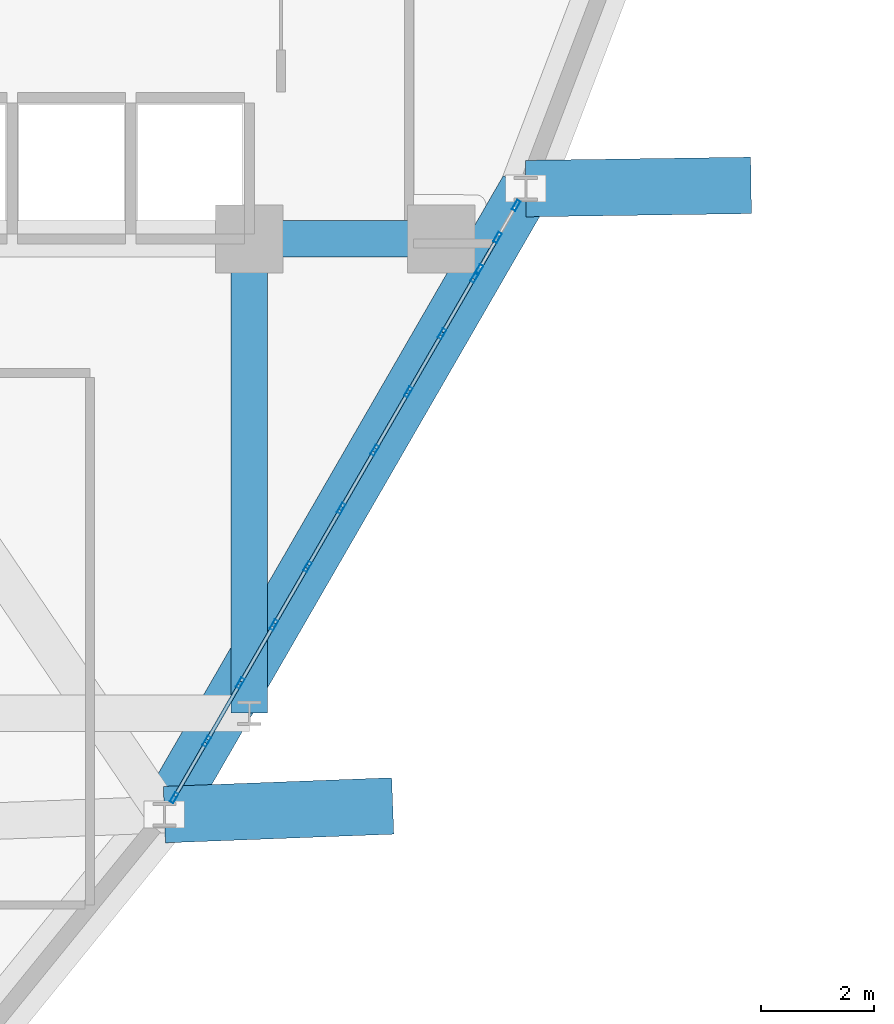
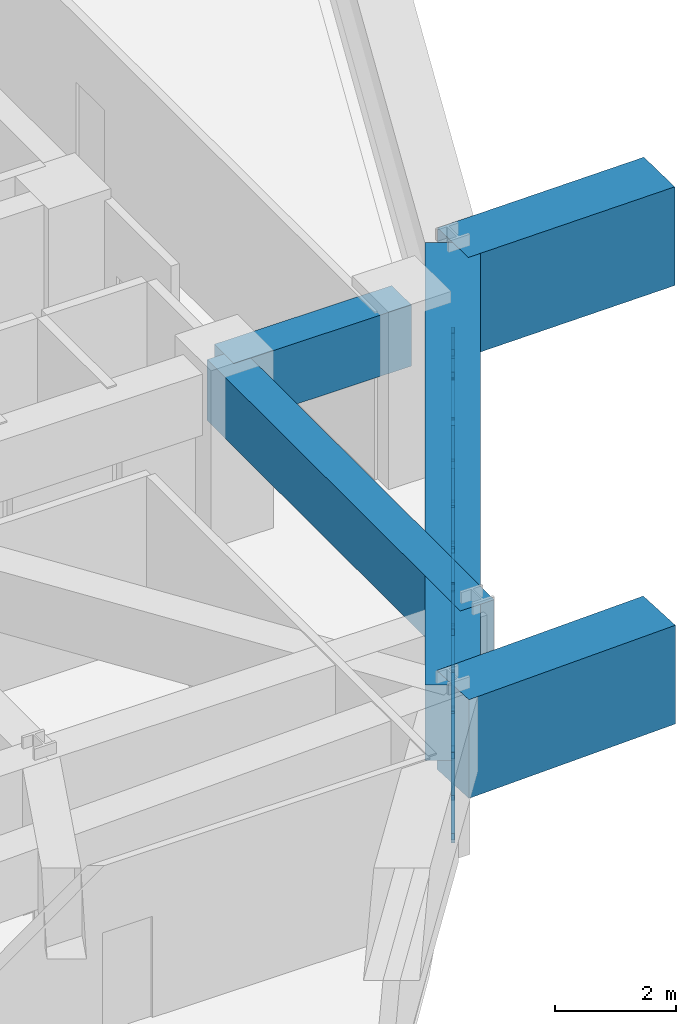
# One storey, part 6 of 15: 35 members, 5 beams, 2 elements without a shape of their own.
"""IFC4 building model written with IfcOpenShell, lengths in metres."""

from ifc_helpers import new_model, si_unit, derived_unit, direction, frame, origin, origin_2d, place, context, subcontext, project, spatial, rectangle, hollow_rectangle, extrude, source, transform, mapped, material, layer, layer_set, material_profile, profile_set, type_object, element, aggregate, save


model = new_model("IFC4")

# Units and contexts
model_context = context("Model", 3, precision=1e-05, world=origin(), true_north=direction((0.0, 1.0)))
body_context = subcontext(model_context, "Body", "Model", "MODEL_VIEW")
ifc_project = project(units=[si_unit("LENGTHUNIT", "METRE"), si_unit("AREAUNIT", "SQUARE_METRE"), si_unit("VOLUMEUNIT", "CUBIC_METRE"), si_unit("PLANEANGLEUNIT", "RADIAN"), si_unit("MASSUNIT", "GRAM", prefix="KILO"), derived_unit("THERMALTRANSMITTANCEUNIT", [(si_unit("POWERUNIT", "WATT"), 1), (si_unit("LENGTHUNIT", "METRE"), -2), (si_unit("THERMODYNAMICTEMPERATUREUNIT", "KELVIN"), -1)])], contexts=[model_context])

# Site, building, storey
site_placement = place(None, origin())
site = spatial("IfcSite", under=ifc_project, at=site_placement, CompositionType="ELEMENT")
building_placement = place(site_placement, origin())
building = spatial("IfcBuilding", under=site, at=building_placement, Name="Korsvarv Bourse and Concert Hall", CompositionType="ELEMENT")
storey_placement = place(building_placement, frame((0.0, 0.0, 165.0)))
storey = spatial("IfcBuildingStorey", under=building, at=storey_placement, Name="L42", CompositionType="ELEMENT", Elevation=165.0)

# Beams
ifc_material_1 = material(Name="Concrete C50/60", Category="concrete")
ifc_material_profile_1 = material_profile(ifc_material_1, rectangle(XDim=0.64990234375, YDim=1.239990234375, at=origin_2d()), Name="RC-BM 650x1240")
ifc_profile_set_1 = profile_set([ifc_material_profile_1], Name="Concrete C50/60")
beam_type_1 = type_object("IfcBeamType", Name="BM-TR-SPN", PredefinedType="BEAM", material=ifc_profile_set_1)
shared_shape_1 = source(origin(), body_context, "Body", "SweptSolid", [
    extrude(rectangle(XDim=0.64990234375, YDim=1.239990234375, at=origin_2d()), origin(), (0.0, 0.0, 1.0), 3.400146484375),
])
beam_1_placement = place(storey_placement, frame((44.39990234375, 32.39990234375, 2.75), z_axis=(1.0, 0.0, 0.0), x_axis=(0.0, 1.0, 0.0)))
element("IfcBeam", 1, at=beam_1_placement, inside=storey, type_object=beam_type_1, Name="L42 beam B-TRS", PredefinedType="BEAM", context=body_context, shape_type="MappedRepresentation", body=[
    mapped(shared_shape_1, transform((0.0, 0.0, 0.0), scale=1.0)),
])
shared_shape_2 = source(origin(), body_context, "Body", "SweptSolid", [
    extrude(rectangle(XDim=0.64990234375, YDim=1.239990234375, at=origin_2d()), origin(), (0.0, 0.0, 1.0), 8.39990234375),
])
beam_2_placement = place(storey_placement, frame((44.39990234375, 24.0, 2.75), z_axis=(0.0, 1.0, 0.0), x_axis=(-1.0, 0.0, 0.0)))
element("IfcBeam", 2, at=beam_2_placement, inside=storey, type_object=beam_type_1, Name="L42 beam B-TRS", PredefinedType="BEAM", context=body_context, shape_type="MappedRepresentation", body=[
    mapped(shared_shape_2, transform((0.0, 0.0, 0.0), scale=1.0)),
])
ifc_material_profile_2 = material_profile(ifc_material_1, rectangle(XDim=0.919921875, YDim=1.530029296875, at=origin_2d()), Name="RC-BM 920x1530")
ifc_profile_set_2 = profile_set([ifc_material_profile_2], Name="Concrete C50/60")
beam_type_2 = type_object("IfcBeamType", Name="BM-TR-154", PredefinedType="BEAM", material=ifc_profile_set_2)
shared_shape_3 = source(origin(), body_context, "Body", "SweptSolid", [
    extrude(rectangle(XDim=0.919921875, YDim=1.530029296875, at=origin_2d()), origin(), (0.0, 0.0, 1.0), 12.802978515625),
])
beam_3_placement = place(storey_placement, frame((42.895263671875, 22.202392578125, 2.60498046875), z_axis=(0.499994815902, 0.866028396804, 0.0), x_axis=(-0.866028396804, 0.499994815902, 0.0)))
element("IfcBeam", 3, at=beam_3_placement, inside=storey, type_object=beam_type_2, Name="L42 beam B-TR6", PredefinedType="BEAM", context=body_context, shape_type="MappedRepresentation", body=[
    mapped(shared_shape_3, transform((0.0, 0.0, 0.0), scale=1.0)),
])
ifc_material_2 = material(Name="Concrete C60/75", Category="concrete")
ifc_material_profile_3 = material_profile(ifc_material_2, rectangle(XDim=1.0, YDim=2.0, at=origin_2d()), Name="RC-BM 1000x2000")
ifc_profile_set_3 = profile_set([ifc_material_profile_3], Name="Concrete C60/75")
beam_type_3 = type_object("IfcBeamType", Name="BM-TR1", PredefinedType="BEAM", material=ifc_profile_set_3)
shared_shape_4 = source(origin(), body_context, "Body", "SweptSolid", [
    extrude(rectangle(XDim=1.0, YDim=2.0, at=origin_2d()), origin(), (0.0, 0.0, 1.0), 4.04736328125),
])
beam_4_placement = place(storey_placement, frame((42.895263671875, 22.202392578125, 2.3701171875), z_axis=(0.999277654412, 0.038002228799, 0.0), x_axis=(-0.038002228799, 0.999277654412, 0.0)))
element("IfcBeam", 4, at=beam_4_placement, inside=storey, type_object=beam_type_3, Name="L42 Block-Shift Transfer Girder 11", PredefinedType="BEAM", context=body_context, shape_type="MappedRepresentation", body=[
    mapped(shared_shape_4, transform((0.0, 0.0, 0.0), scale=1.0)),
])
shared_shape_5 = source(origin(), body_context, "Body", "SweptSolid", [
    extrude(rectangle(XDim=1.0, YDim=2.0, at=origin_2d()), origin(), (0.0, 0.0, 1.0), 3.989501953125),
])
beam_5_placement = place(storey_placement, frame((49.296630859375, 33.2900390625, 2.3701171875), z_axis=(0.999894816595, 0.014503645972, 0.0), x_axis=(-0.014503645972, 0.999894816595, 0.0)))
element("IfcBeam", 5, at=beam_5_placement, inside=storey, type_object=beam_type_3, Name="L42 Block-Shift Transfer Girder 12", PredefinedType="BEAM", context=body_context, shape_type="MappedRepresentation", body=[
    mapped(shared_shape_5, transform((0.0, 0.0, 0.0), scale=1.0)),
])

# Curtain wall, members
ifc_material_3 = material(Name="Anodised aluminium and triple low-E glazing", Category="glass")
ifc_layer = layer(ifc_material_3, 0.2099609375)
ifc_layer_set = layer_set([ifc_layer], Name="Anodised aluminium and triple low-E glazing")
curtain_wall_type = type_object("IfcCurtainWallType", Name="CW-SYS-2", PredefinedType="NOTDEFINED", material=ifc_layer_set)
curtain_wall_1_placement = place(storey_placement, origin())
curtain_wall_1 = element("IfcCurtainWall", 6, at=curtain_wall_1_placement, inside=storey, type_object=curtain_wall_type, Name="L42 CW2 curtain wall CW-L42-F11-1", PredefinedType="NOTDEFINED")
ifc_material_4 = material(Name="Extruded aluminium EN AW-6063 T66", Category="aluminium")
ifc_material_profile_4 = material_profile(ifc_material_4, hollow_rectangle(XDim=0.070068359375, YDim=0.18994140625, WallThickness=0.0048828125, at=origin_2d()), Name="ALU-M 70x190")
ifc_profile_set_4 = profile_set([ifc_material_profile_4], Name="Extruded aluminium EN AW-6063 T66")
member_type_1 = type_object("IfcMemberType", Name="CWM-190", PredefinedType="MULLION", material=ifc_profile_set_4)
shared_shape_6 = source(origin(), body_context, "Body", "SweptSolid", [
    extrude(hollow_rectangle(XDim=0.070068359375, YDim=0.18994140625, WallThickness=0.0048828125, at=origin_2d()), origin(), (0.0, 0.0, 1.0), 1.840087890625),
])
member_1_placement = place(storey_placement, frame((43.067138671875, 22.5, 0.0), z_axis=(0.0, 0.0, 1.0), x_axis=(-0.866026453118, 0.499998182496, 0.0)))
member_1 = element("IfcMember", 7, at=member_1_placement, type_object=member_type_1, Name="CW2 mullion 1", PredefinedType="MULLION", context=body_context, shape_type="MappedRepresentation", body=[
    mapped(shared_shape_6, transform((0.0, 0.0, 0.0), scale=1.0)),
])
member_2_placement = place(storey_placement, frame((43.64501953125, 23.5009765625, 0.0), z_axis=(0.0, 0.0, 1.0), x_axis=(-0.866026453118, 0.499998182496, 0.0)))
member_2 = element("IfcMember", 8, at=member_2_placement, type_object=member_type_1, Name="CW2 mullion 2", PredefinedType="MULLION", context=body_context, shape_type="MappedRepresentation", body=[
    mapped(shared_shape_6, transform((0.0, 0.0, 0.0), scale=1.0)),
])
member_3_placement = place(storey_placement, frame((44.240234375, 24.531982421875, 0.0), z_axis=(0.0, 0.0, 1.0), x_axis=(-0.866026453118, 0.499998182496, 0.0)))
member_3 = element("IfcMember", 9, at=member_3_placement, type_object=member_type_1, Name="CW2 mullion 3", PredefinedType="MULLION", context=body_context, shape_type="MappedRepresentation", body=[
    mapped(shared_shape_6, transform((0.0, 0.0, 0.0), scale=1.0)),
])
member_4_placement = place(storey_placement, frame((44.83544921875, 25.563232421875, 0.0), z_axis=(0.0, 0.0, 1.0), x_axis=(-0.866026453118, 0.499998182496, 0.0)))
member_4 = element("IfcMember", 10, at=member_4_placement, type_object=member_type_1, Name="CW2 mullion 4", PredefinedType="MULLION", context=body_context, shape_type="MappedRepresentation", body=[
    mapped(shared_shape_6, transform((0.0, 0.0, 0.0), scale=1.0)),
])
member_5_placement = place(storey_placement, frame((45.430908203125, 26.59423828125, 0.0), z_axis=(0.0, 0.0, 1.0), x_axis=(-0.866026453118, 0.499998182496, 0.0)))
member_5 = element("IfcMember", 11, at=member_5_placement, type_object=member_type_1, Name="CW2 mullion 5", PredefinedType="MULLION", context=body_context, shape_type="MappedRepresentation", body=[
    mapped(shared_shape_6, transform((0.0, 0.0, 0.0), scale=1.0)),
])
member_6_placement = place(storey_placement, frame((46.026123046875, 27.62548828125, 0.0), z_axis=(0.0, 0.0, 1.0), x_axis=(-0.866026453118, 0.499998182496, 0.0)))
member_6 = element("IfcMember", 12, at=member_6_placement, type_object=member_type_1, Name="CW2 mullion 6", PredefinedType="MULLION", context=body_context, shape_type="MappedRepresentation", body=[
    mapped(shared_shape_6, transform((0.0, 0.0, 0.0), scale=1.0)),
])
member_7_placement = place(storey_placement, frame((46.62158203125, 28.656494140625, 0.0), z_axis=(0.0, 0.0, 1.0), x_axis=(-0.866026453118, 0.499998182496, 0.0)))
member_7 = element("IfcMember", 13, at=member_7_placement, type_object=member_type_1, Name="CW2 mullion 7", PredefinedType="MULLION", context=body_context, shape_type="MappedRepresentation", body=[
    mapped(shared_shape_6, transform((0.0, 0.0, 0.0), scale=1.0)),
])
member_8_placement = place(storey_placement, frame((47.216796875, 29.687744140625, 0.0), z_axis=(0.0, 0.0, 1.0), x_axis=(-0.866026453118, 0.499998182496, 0.0)))
member_8 = element("IfcMember", 14, at=member_8_placement, type_object=member_type_1, Name="CW2 mullion 8", PredefinedType="MULLION", context=body_context, shape_type="MappedRepresentation", body=[
    mapped(shared_shape_6, transform((0.0, 0.0, 0.0), scale=1.0)),
])
member_9_placement = place(storey_placement, frame((47.812255859375, 30.71875, 0.0), z_axis=(0.0, 0.0, 1.0), x_axis=(-0.866026453118, 0.499998182496, 0.0)))
member_9 = element("IfcMember", 15, at=member_9_placement, type_object=member_type_1, Name="CW2 mullion 9", PredefinedType="MULLION", context=body_context, shape_type="MappedRepresentation", body=[
    mapped(shared_shape_6, transform((0.0, 0.0, 0.0), scale=1.0)),
])
member_10_placement = place(storey_placement, frame((48.389892578125, 31.7197265625, 0.0), z_axis=(0.0, 0.0, 1.0), x_axis=(-0.866026453118, 0.499998182496, 0.0)))
member_10 = element("IfcMember", 16, at=member_10_placement, type_object=member_type_1, Name="CW2 mullion 10", PredefinedType="MULLION", context=body_context, shape_type="MappedRepresentation", body=[
    mapped(shared_shape_6, transform((0.0, 0.0, 0.0), scale=1.0)),
])

curtain_wall_2_placement = place(storey_placement, origin())
curtain_wall_2 = element("IfcCurtainWall", 17, at=curtain_wall_2_placement, inside=storey, type_object=curtain_wall_type, Name="L42 CW2 curtain wall CW-L42-F11-2", PredefinedType="NOTDEFINED")
member_11_placement = place(storey_placement, frame((48.467529296875, 31.85400390625, 0.0), z_axis=(0.0, 0.0, 1.0), x_axis=(-0.866007567723, 0.500030891693, 0.0)))
member_11 = element("IfcMember", 18, at=member_11_placement, type_object=member_type_1, Name="CW2 mullion 1", PredefinedType="MULLION", context=body_context, shape_type="MappedRepresentation", body=[
    mapped(shared_shape_6, transform((0.0, 0.0, 0.0), scale=1.0)),
])
member_12_placement = place(storey_placement, frame((48.796142578125, 32.423095703125, 0.0), z_axis=(0.0, 0.0, 1.0), x_axis=(-0.866007567723, 0.500030891693, 0.0)))
member_12 = element("IfcMember", 19, at=member_12_placement, type_object=member_type_1, Name="CW2 mullion 2", PredefinedType="MULLION", context=body_context, shape_type="MappedRepresentation", body=[
    mapped(shared_shape_6, transform((0.0, 0.0, 0.0), scale=1.0)),
])
member_13_placement = place(storey_placement, frame((49.124755859375, 32.9921875, 0.0), z_axis=(0.0, 0.0, 1.0), x_axis=(-0.866007567723, 0.500030891693, 0.0)))
member_13 = element("IfcMember", 20, at=member_13_placement, type_object=member_type_1, Name="CW2 mullion 3", PredefinedType="MULLION", context=body_context, shape_type="MappedRepresentation", body=[
    mapped(shared_shape_6, transform((0.0, 0.0, 0.0), scale=1.0)),
])

# Member
ifc_material_profile_5 = material_profile(ifc_material_4, hollow_rectangle(XDim=0.06494140625, YDim=0.139892578125, WallThickness=0.00390625, at=origin_2d()), Name="ALU-T 65x140")
ifc_profile_set_5 = profile_set([ifc_material_profile_5], Name="Extruded aluminium EN AW-6063 T66")
member_type_2 = type_object("IfcMemberType", Name="CWT-140", PredefinedType="USERDEFINED", material=ifc_profile_set_5)
shared_shape_7 = source(origin(), body_context, "Body", "SweptSolid", [
    extrude(hollow_rectangle(XDim=0.06494140625, YDim=0.139892578125, WallThickness=0.00390625, at=origin_2d()), origin(), (0.0, 0.0, 1.0), 1.085693359375),
])
member_14_placement = place(storey_placement, frame((43.084716796875, 22.530517578125, 0.032470703125), z_axis=(0.499936598022, 0.866062005839, 0.0), x_axis=(-0.866062005839, 0.499936598022, 0.0)))
member_14 = element("IfcMember", 21, at=member_14_placement, type_object=member_type_2, Name="CW2 transom 1.1", ObjectType="TRANSOM", PredefinedType="USERDEFINED", context=body_context, shape_type="MappedRepresentation", body=[
    mapped(shared_shape_7, transform((0.0, 0.0, 0.0), scale=1.0)),
])

member_15_placement = place(storey_placement, frame((43.084716796875, 22.530517578125, 1.8076171875), z_axis=(0.499936598022, 0.866062005839, 0.0), x_axis=(-0.866062005839, 0.499936598022, 0.0)))
member_15 = element("IfcMember", 22, at=member_15_placement, type_object=member_type_2, Name="CW2 transom 1.2", ObjectType="TRANSOM", PredefinedType="USERDEFINED", context=body_context, shape_type="MappedRepresentation", body=[
    mapped(shared_shape_7, transform((0.0, 0.0, 0.0), scale=1.0)),
])

member_16_placement = place(storey_placement, frame((47.82958984375, 30.749267578125, 0.032470703125), z_axis=(0.5001052534, 0.865964627177, 0.0), x_axis=(-0.865964627177, 0.5001052534, 0.0)))
member_16 = element("IfcMember", 23, at=member_16_placement, type_object=member_type_2, Name="CW2 transom 9.1", ObjectType="TRANSOM", PredefinedType="USERDEFINED", context=body_context, shape_type="MappedRepresentation", body=[
    mapped(shared_shape_7, transform((0.0, 0.0, 0.0), scale=1.0)),
])

member_17_placement = place(storey_placement, frame((47.82958984375, 30.749267578125, 1.8076171875), z_axis=(0.5001052534, 0.865964627177, 0.0), x_axis=(-0.865964627177, 0.5001052534, 0.0)))
member_17 = element("IfcMember", 24, at=member_17_placement, type_object=member_type_2, Name="CW2 transom 9.2", ObjectType="TRANSOM", PredefinedType="USERDEFINED", context=body_context, shape_type="MappedRepresentation", body=[
    mapped(shared_shape_7, transform((0.0, 0.0, 0.0), scale=1.0)),
])

shared_shape_8 = source(origin(), body_context, "Body", "SweptSolid", [
    extrude(hollow_rectangle(XDim=0.06494140625, YDim=0.139892578125, WallThickness=0.00390625, at=origin_2d()), origin(), (0.0, 0.0, 1.0), 1.12060546875),
])
member_18_placement = place(storey_placement, frame((43.662353515625, 23.53125, 0.032470703125), z_axis=(0.500005339912, 0.866022320763, 0.0), x_axis=(-0.866022320763, 0.500005339912, 0.0)))
member_18 = element("IfcMember", 25, at=member_18_placement, type_object=member_type_2, Name="CW2 transom 2.1", ObjectType="TRANSOM", PredefinedType="USERDEFINED", context=body_context, shape_type="MappedRepresentation", body=[
    mapped(shared_shape_8, transform((0.0, 0.0, 0.0), scale=1.0)),
])

member_19_placement = place(storey_placement, frame((43.662353515625, 23.53125, 1.8076171875), z_axis=(0.500005339912, 0.866022320763, 0.0), x_axis=(-0.866022320763, 0.500005339912, 0.0)))
member_19 = element("IfcMember", 26, at=member_19_placement, type_object=member_type_2, Name="CW2 transom 2.2", ObjectType="TRANSOM", PredefinedType="USERDEFINED", context=body_context, shape_type="MappedRepresentation", body=[
    mapped(shared_shape_8, transform((0.0, 0.0, 0.0), scale=1.0)),
])

member_20_placement = place(storey_placement, frame((44.85302734375, 25.593505859375, 0.032470703125), z_axis=(0.500005339912, 0.866022320763, 0.0), x_axis=(-0.866022320763, 0.500005339912, 0.0)))
member_20 = element("IfcMember", 27, at=member_20_placement, type_object=member_type_2, Name="CW2 transom 4.1", ObjectType="TRANSOM", PredefinedType="USERDEFINED", context=body_context, shape_type="MappedRepresentation", body=[
    mapped(shared_shape_8, transform((0.0, 0.0, 0.0), scale=1.0)),
])

member_21_placement = place(storey_placement, frame((44.85302734375, 25.593505859375, 1.8076171875), z_axis=(0.500005339912, 0.866022320763, 0.0), x_axis=(-0.866022320763, 0.500005339912, 0.0)))
member_21 = element("IfcMember", 28, at=member_21_placement, type_object=member_type_2, Name="CW2 transom 4.2", ObjectType="TRANSOM", PredefinedType="USERDEFINED", context=body_context, shape_type="MappedRepresentation", body=[
    mapped(shared_shape_8, transform((0.0, 0.0, 0.0), scale=1.0)),
])

member_22_placement = place(storey_placement, frame((45.448486328125, 26.624755859375, 0.032470703125), z_axis=(0.500005339912, 0.866022320763, 0.0), x_axis=(-0.866022320763, 0.500005339912, 0.0)))
member_22 = element("IfcMember", 29, at=member_22_placement, type_object=member_type_2, Name="CW2 transom 5.1", ObjectType="TRANSOM", PredefinedType="USERDEFINED", context=body_context, shape_type="MappedRepresentation", body=[
    mapped(shared_shape_8, transform((0.0, 0.0, 0.0), scale=1.0)),
])

member_23_placement = place(storey_placement, frame((45.448486328125, 26.624755859375, 1.8076171875), z_axis=(0.500005339912, 0.866022320763, 0.0), x_axis=(-0.866022320763, 0.500005339912, 0.0)))
member_23 = element("IfcMember", 30, at=member_23_placement, type_object=member_type_2, Name="CW2 transom 5.2", ObjectType="TRANSOM", PredefinedType="USERDEFINED", context=body_context, shape_type="MappedRepresentation", body=[
    mapped(shared_shape_8, transform((0.0, 0.0, 0.0), scale=1.0)),
])

member_24_placement = place(storey_placement, frame((46.043701171875, 27.65576171875, 0.032470703125), z_axis=(0.500005339912, 0.866022320763, 0.0), x_axis=(-0.866022320763, 0.500005339912, 0.0)))
member_24 = element("IfcMember", 31, at=member_24_placement, type_object=member_type_2, Name="CW2 transom 6.1", ObjectType="TRANSOM", PredefinedType="USERDEFINED", context=body_context, shape_type="MappedRepresentation", body=[
    mapped(shared_shape_8, transform((0.0, 0.0, 0.0), scale=1.0)),
])

member_25_placement = place(storey_placement, frame((46.043701171875, 27.65576171875, 1.8076171875), z_axis=(0.500005339912, 0.866022320763, 0.0), x_axis=(-0.866022320763, 0.500005339912, 0.0)))
member_25 = element("IfcMember", 32, at=member_25_placement, type_object=member_type_2, Name="CW2 transom 6.2", ObjectType="TRANSOM", PredefinedType="USERDEFINED", context=body_context, shape_type="MappedRepresentation", body=[
    mapped(shared_shape_8, transform((0.0, 0.0, 0.0), scale=1.0)),
])

member_26_placement = place(storey_placement, frame((46.638916015625, 28.68701171875, 0.032470703125), z_axis=(0.500168712488, 0.86592797567, 0.0), x_axis=(-0.86592797567, 0.500168712488, 0.0)))
member_26 = element("IfcMember", 33, at=member_26_placement, type_object=member_type_2, Name="CW2 transom 7.1", ObjectType="TRANSOM", PredefinedType="USERDEFINED", context=body_context, shape_type="MappedRepresentation", body=[
    mapped(shared_shape_8, transform((0.0, 0.0, 0.0), scale=1.0)),
])

member_27_placement = place(storey_placement, frame((46.638916015625, 28.68701171875, 1.8076171875), z_axis=(0.500168712488, 0.86592797567, 0.0), x_axis=(-0.86592797567, 0.500168712488, 0.0)))
member_27 = element("IfcMember", 34, at=member_27_placement, type_object=member_type_2, Name="CW2 transom 7.2", ObjectType="TRANSOM", PredefinedType="USERDEFINED", context=body_context, shape_type="MappedRepresentation", body=[
    mapped(shared_shape_8, transform((0.0, 0.0, 0.0), scale=1.0)),
])

member_28_placement = place(storey_placement, frame((47.234375, 29.718017578125, 0.032470703125), z_axis=(0.500005339912, 0.866022320763, 0.0), x_axis=(-0.866022320763, 0.500005339912, 0.0)))
member_28 = element("IfcMember", 35, at=member_28_placement, type_object=member_type_2, Name="CW2 transom 8.1", ObjectType="TRANSOM", PredefinedType="USERDEFINED", context=body_context, shape_type="MappedRepresentation", body=[
    mapped(shared_shape_8, transform((0.0, 0.0, 0.0), scale=1.0)),
])

member_29_placement = place(storey_placement, frame((47.234375, 29.718017578125, 1.8076171875), z_axis=(0.500005339912, 0.866022320763, 0.0), x_axis=(-0.866022320763, 0.500005339912, 0.0)))
member_29 = element("IfcMember", 36, at=member_29_placement, type_object=member_type_2, Name="CW2 transom 8.2", ObjectType="TRANSOM", PredefinedType="USERDEFINED", context=body_context, shape_type="MappedRepresentation", body=[
    mapped(shared_shape_8, transform((0.0, 0.0, 0.0), scale=1.0)),
])

ifc_material_profile_6 = material_profile(ifc_material_4, hollow_rectangle(XDim=0.06494140625, YDim=0.1650390625, WallThickness=0.0048828125, at=origin_2d()), Name="ALU-M 65x165")
ifc_profile_set_6 = profile_set([ifc_material_profile_6], Name="Extruded aluminium EN AW-6063 T66")
member_type_3 = type_object("IfcMemberType", Name="CWM-165", PredefinedType="MULLION", material=ifc_profile_set_6)
shared_shape_9 = source(origin(), body_context, "Body", "SweptSolid", [
    extrude(hollow_rectangle(XDim=0.06494140625, YDim=0.1650390625, WallThickness=0.0048828125, at=origin_2d()), origin(), (0.0, 0.0, 1.0), 2.04443359375),
])
member_30_placement = place(storey_placement, frame((43.662353515625, 23.53125, 0.06494140625), z_axis=(0.274062985004, 0.474684255073, 0.83639962831), x_axis=(-0.866022320763, 0.500005339912, 0.0)))
member_30 = element("IfcMember", 37, at=member_30_placement, type_object=member_type_3, Name="CW2 diagonal mullion 2", PredefinedType="MULLION", context=body_context, shape_type="MappedRepresentation", body=[
    mapped(shared_shape_9, transform((0.0, 0.0, 0.0), scale=1.0)),
])

member_31_placement = place(storey_placement, frame((46.0087890625, 27.59521484375, 0.06494140625), z_axis=(-0.274062985004, -0.474684255073, 0.83639962831), x_axis=(0.866022320763, -0.500005339912, 0.0)))
member_31 = element("IfcMember", 38, at=member_31_placement, type_object=member_type_3, Name="CW2 diagonal mullion 5", PredefinedType="MULLION", context=body_context, shape_type="MappedRepresentation", body=[
    mapped(shared_shape_9, transform((0.0, 0.0, 0.0), scale=1.0)),
])

member_32_placement = place(storey_placement, frame((47.234375, 29.718017578125, 0.06494140625), z_axis=(0.274062985004, 0.474684255073, 0.83639962831), x_axis=(-0.866022320763, 0.500005339912, 0.0)))
member_32 = element("IfcMember", 39, at=member_32_placement, type_object=member_type_3, Name="CW2 diagonal mullion 8", PredefinedType="MULLION", context=body_context, shape_type="MappedRepresentation", body=[
    mapped(shared_shape_9, transform((0.0, 0.0, 0.0), scale=1.0)),
])

shared_shape_10 = source(origin(), body_context, "Body", "SweptSolid", [
    extrude(hollow_rectangle(XDim=0.06494140625, YDim=0.139892578125, WallThickness=0.00390625, at=origin_2d()), origin(), (0.0, 0.0, 1.0), 1.120849609375),
])
member_33_placement = place(storey_placement, frame((44.2578125, 24.562255859375, 0.032470703125), z_axis=(0.499911014785, 0.866076773327, 0.0), x_axis=(-0.866076773327, 0.499911014785, 0.0)))
member_33 = element("IfcMember", 40, at=member_33_placement, type_object=member_type_2, Name="CW2 transom 3.1", ObjectType="TRANSOM", PredefinedType="USERDEFINED", context=body_context, shape_type="MappedRepresentation", body=[
    mapped(shared_shape_10, transform((0.0, 0.0, 0.0), scale=1.0)),
])

member_34_placement = place(storey_placement, frame((44.2578125, 24.562255859375, 1.8076171875), z_axis=(0.499911014785, 0.866076773327, 0.0), x_axis=(-0.866076773327, 0.499911014785, 0.0)))
member_34 = element("IfcMember", 41, at=member_34_placement, type_object=member_type_2, Name="CW2 transom 3.2", ObjectType="TRANSOM", PredefinedType="USERDEFINED", context=body_context, shape_type="MappedRepresentation", body=[
    mapped(shared_shape_10, transform((0.0, 0.0, 0.0), scale=1.0)),
])

aggregate(curtain_wall_1, [member_1, member_2, member_3, member_4, member_5, member_6, member_7, member_8, member_9, member_10, member_14, member_15, member_18, member_19, member_30, member_33, member_34, member_20, member_21, member_22, member_23, member_31, member_24, member_25, member_26, member_27, member_28, member_29, member_32, member_16, member_17])

shared_shape_11 = source(origin(), body_context, "Body", "SweptSolid", [
    extrude(hollow_rectangle(XDim=0.06494140625, YDim=0.1650390625, WallThickness=0.0048828125, at=origin_2d()), origin(), (0.0, 0.0, 1.0), 1.807861328125),
])
member_35_placement = place(storey_placement, frame((48.485107421875, 31.88427734375, 0.06494140625), z_axis=(0.162314342502, 0.281281843121, 0.945798381765), x_axis=(-0.866137124377, 0.499806444312, 0.0)))
member_35 = element("IfcMember", 42, at=member_35_placement, type_object=member_type_3, Name="CW2 diagonal mullion 1", PredefinedType="MULLION", context=body_context, shape_type="MappedRepresentation", body=[
    mapped(shared_shape_11, transform((0.0, 0.0, 0.0), scale=1.0)),
])

aggregate(curtain_wall_2, [member_11, member_12, member_13, member_35])

save(model, "model.ifc")
